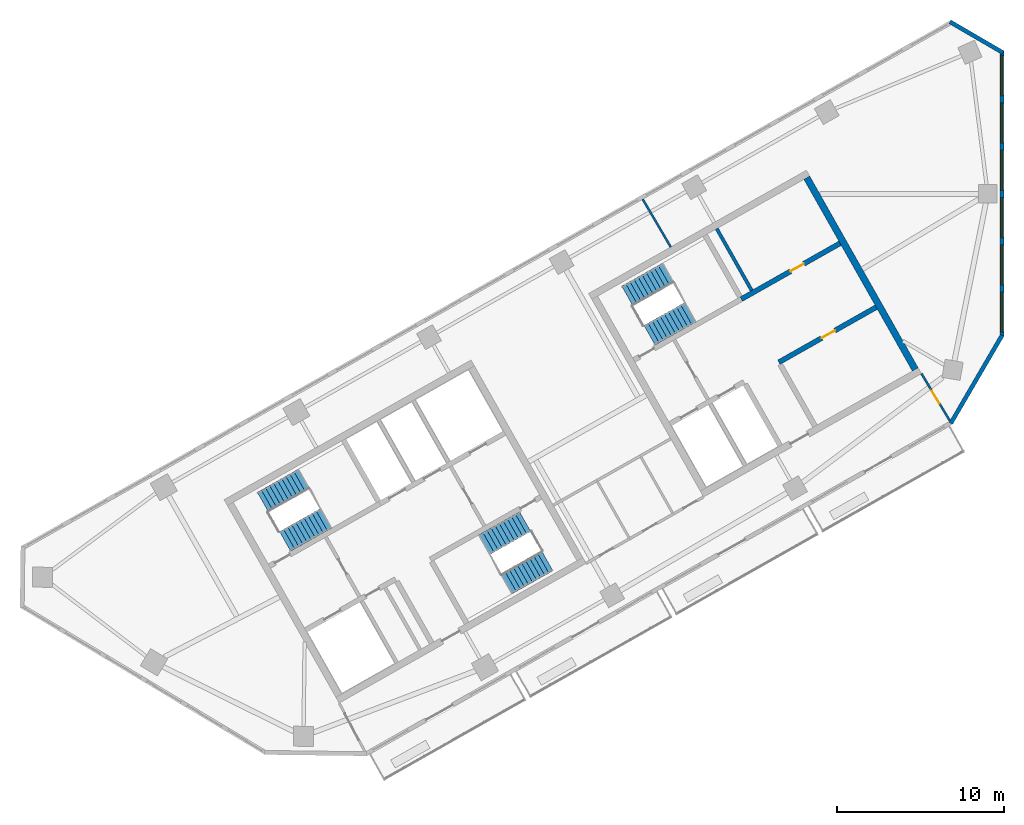
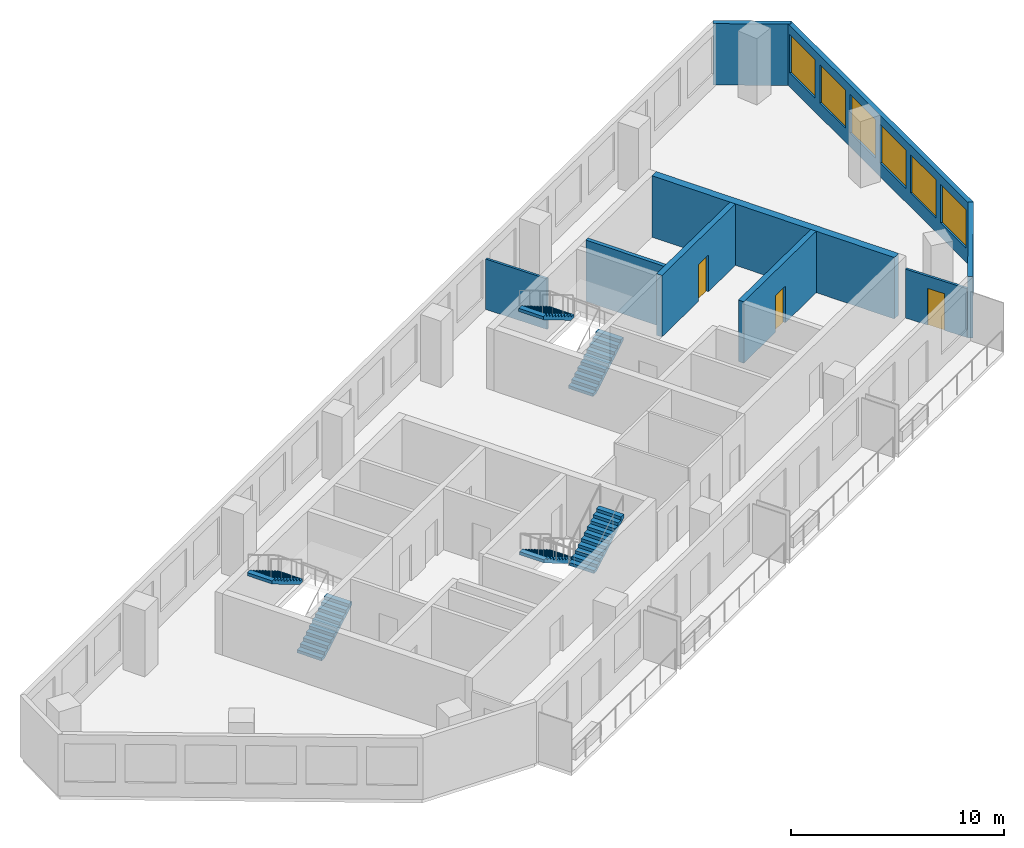
# One storey, part 5 of 7: 9 walls, 6 stair flights, 6 windows, 3 doors, 9 openings, 3 elements without a shape of their own.
"""IFC4 building model written with IfcOpenShell, lengths in metres."""

from ifc_helpers import new_model, si_unit, direction, frame, frame_2d, origin, place, context, subcontext, project, spatial, polyline, rectangle, outline, extrude, material, layer, layer_set, type_object, element, fill, aggregate, save


model = new_model("IFC4")

# Units and contexts
model_context = context("Model", 3, precision=1e-05, world=origin(), true_north=direction((0.0, 1.0)))
body_context = subcontext(model_context, "Body", "Model", "MODEL_VIEW")
ifc_project = project(units=[si_unit("LENGTHUNIT", "METRE"), si_unit("AREAUNIT", "SQUARE_METRE"), si_unit("VOLUMEUNIT", "CUBIC_METRE"), si_unit("PLANEANGLEUNIT", "RADIAN"), si_unit("MASSUNIT", "GRAM", prefix="KILO")], contexts=[model_context])

# Site, building, storey
site_placement = place(None, origin())
site = spatial("IfcSite", under=ifc_project, at=site_placement, CompositionType="ELEMENT")
building_placement = place(site_placement, origin())
building = spatial("IfcBuilding", under=site, at=building_placement, Name="Binnacle Exchange Tower", CompositionType="ELEMENT")
storey_placement = place(building_placement, frame((0.0, 0.0, 304.5)))
storey = spatial("IfcBuildingStorey", under=building, at=storey_placement, Name="L68", CompositionType="ELEMENT", Elevation=304.5)

# Wall, opening, door
ifc_material_1 = material(Name="Concrete C70/85", Category="concrete")
ifc_layer_1 = layer(ifc_material_1, 0.300048828125)
ifc_layer_set_1 = layer_set([ifc_layer_1], Name="Core wall - front 300")
wall_type_1 = type_object("IfcWallType", Name="Core wall - front 300", PredefinedType="SOLIDWALL", material=ifc_layer_set_1)
wall_1_placement = place(storey_placement, frame((-13.364501953125, 49.910888671875, 0.0), z_axis=(0.0, 0.0, 1.0), x_axis=(0.870347618718, 0.492437836272, 0.0)))
wall_1 = element("IfcWall", 1, at=wall_1_placement, inside=storey, type_object=wall_type_1, Name="Core wall CRWC3", PredefinedType="SOLIDWALL", context=body_context, shape_type="SweptSolid", body=[
    extrude(rectangle(XDim=6.699951171875, YDim=0.300048828125, at=frame_2d((3.35009765625, 0.0))), origin(), (0.0, 0.0, 1.0), 3.52001953125),
])
opening_1_placement = place(wall_1_placement, frame((2.949951171875, 0.0, 0.0)))
opening_1 = element("IfcOpeningElement", 2, at=opening_1_placement, cuts=wall_1, Name="Opening DC18", PredefinedType="OPENING", context=body_context, shape_type="SweptSolid", body=[
    extrude(rectangle(XDim=0.89990234375, YDim=2.10009765625, at=frame_2d((0.449951171875, 1.050048828125))), frame((0.0, 0.159912109375, 0.0), z_axis=(0.0, -1.0, 0.0), x_axis=(1.0, 0.0, 0.0)), (0.0, 0.0, 1.0), 0.320068359375),
])
ifc_material_2 = material(Name="Steel door leaf", Category="steel")
door_type_1 = type_object("IfcDoorType", Name="Fire door 900", OperationType="NOTDEFINED", PredefinedType="DOOR", material=ifc_material_2)
door_1_placement = place(opening_1_placement, frame((0.89990234375, 0.0, 0.0), z_axis=(0.0, 0.0, 1.0), x_axis=(-1.0, 0.0, 0.0)))
door_1 = element("IfcDoor", 3, at=door_1_placement, inside=storey, type_object=door_type_1, Name="Core room door SPARES STORE", OperationType="SINGLE_SWING_LEFT", OverallHeight=2.10009765625, OverallWidth=0.89990234375, PredefinedType="DOOR", context=body_context, shape_type="SweptSolid", body=[
    extrude(rectangle(XDim=0.89990234375, YDim=2.10009765625, at=frame_2d((0.449951171875, 1.050048828125))), frame((0.0, 0.02490234375, 0.0), z_axis=(0.0, -1.0, 0.0), x_axis=(1.0, 0.0, 0.0)), (0.0, 0.0, 1.0), 0.050048828125),
])
fill(opening_1, door_1)

wall_2_placement = place(storey_placement, frame((-15.6181640625, 53.69140625, 0.0), z_axis=(0.0, 0.0, 1.0), x_axis=(0.870362830851, 0.492410948978, 0.0)))
wall_2 = element("IfcWall", 4, at=wall_2_placement, inside=storey, type_object=wall_type_1, Name="Core wall CRWC5", PredefinedType="SOLIDWALL", context=body_context, shape_type="SweptSolid", body=[
    extrude(rectangle(XDim=6.800048828125, YDim=0.300048828125, at=frame_2d((3.39990234375, 0.0))), origin(), (0.0, 0.0, 1.0), 3.52001953125),
])
opening_2_placement = place(wall_2_placement, frame((3.400146484375, 0.0, 0.0)))
opening_2 = element("IfcOpeningElement", 5, at=opening_2_placement, cuts=wall_2, Name="Opening DC10", PredefinedType="OPENING", context=body_context, shape_type="SweptSolid", body=[
    extrude(rectangle(XDim=0.89990234375, YDim=2.10009765625, at=frame_2d((0.449951171875, 1.050048828125))), frame((0.0, 0.159912109375, 0.0), z_axis=(0.0, -1.0, 0.0), x_axis=(1.0, 0.0, 0.0)), (0.0, 0.0, 1.0), 0.320068359375),
])
door_2_placement = place(opening_2_placement, origin())
door_2 = element("IfcDoor", 6, at=door_2_placement, inside=storey, type_object=door_type_1, Name="Core room door WORKSHOP STORE", OperationType="SINGLE_SWING_RIGHT", OverallHeight=2.10009765625, OverallWidth=0.89990234375, PredefinedType="DOOR", context=body_context, shape_type="SweptSolid", body=[
    extrude(rectangle(XDim=0.89990234375, YDim=2.10009765625, at=frame_2d((0.449951171875, 1.050048828125))), frame((0.0, 0.02490234375, 0.0), z_axis=(0.0, -1.0, 0.0), x_axis=(1.0, 0.0, 0.0)), (0.0, 0.0, 1.0), 0.050048828125),
])
fill(opening_2, door_2)

# Walls
ifc_layer_2 = layer(ifc_material_1, 0.39990234375)
ifc_layer_set_2 = layer_set([ifc_layer_2], Name="Core wall - outer 400")
wall_type_2 = type_object("IfcWallType", Name="Core wall - outer 400", PredefinedType="SOLIDWALL", material=ifc_layer_set_2)
wall_3_placement = place(storey_placement, frame((-11.6923828125, 60.968017578125, 0.0), z_axis=(0.0, 0.0, 1.0), x_axis=(0.492421663121, -0.870356769198, 0.0)))
element("IfcWall", 7, at=wall_3_placement, inside=storey, type_object=wall_type_2, Name="Core wall CRWC24", PredefinedType="SOLIDWALL", context=body_context, shape_type="SweptSolid", body=[
    extrude(rectangle(XDim=13.199951171875, YDim=0.39990234375, at=frame_2d((6.60009765625, 0.0))), origin(), (0.0, 0.0, 1.0), 3.52001953125),
])
ifc_material_3 = material(Name="Bronze aluminium cladding", Category="aluminium")
ifc_layer_3 = layer(ifc_material_3, 0.25)
ifc_layer_set_3 = layer_set([ifc_layer_3], Name="External wall - window wall 250")
wall_type_3 = type_object("IfcWallType", Name="External wall - window wall 250", PredefinedType="STANDARD", material=ifc_layer_set_3)
wall_4_placement = place(storey_placement, frame((0.01708984375, 51.529296875, 0.0), z_axis=(0.0, 0.0, 1.0), x_axis=(-0.503769237131, -0.863838269424, 0.0)))
element("IfcWall", 8, at=wall_4_placement, inside=storey, type_object=wall_type_3, Name="External wall EW-H00 L68", PredefinedType="STANDARD", context=body_context, shape_type="SweptSolid", body=[
    extrude(rectangle(XDim=6.114501953125, YDim=0.25, at=frame_2d((3.05712890625, 0.0))), origin(), (0.0, 0.0, 1.0), 3.52001953125),
])

# Wall, openings, windows
wall_5_placement = place(storey_placement, frame((0.0, 68.57177734375, 0.0), z_axis=(0.0, 0.0, 1.0), x_axis=(0.0, -1.0, 0.0)))
wall_5 = element("IfcWall", 9, at=wall_5_placement, inside=storey, type_object=wall_type_3, Name="External wall EW-H01 L68", PredefinedType="STANDARD", context=body_context, shape_type="SweptSolid", body=[
    extrude(rectangle(XDim=17.10546875, YDim=0.25, at=frame_2d((8.552734375, 0.0))), origin(), (0.0, 0.0, 1.0), 3.52001953125),
])
opening_3_placement = place(wall_5_placement, frame((14.455078125, 0.0, 0.800048828125)))
opening_3 = element("IfcOpeningElement", 10, at=opening_3_placement, cuts=wall_5, Name="Opening WR2", PredefinedType="OPENING", context=body_context, shape_type="SweptSolid", body=[
    extrude(rectangle(XDim=2.39990234375, YDim=2.199951171875, at=frame_2d((1.199951171875, 1.10009765625))), frame((0.0, 0.135009765625, 0.0), z_axis=(0.0, -1.0, 0.0), x_axis=(1.0, 0.0, 0.0)), (0.0, 0.0, 1.0), 0.27001953125),
])
opening_4_placement = place(wall_5_placement, frame((11.621826171875, 0.0, 0.800048828125)))
opening_4 = element("IfcOpeningElement", 11, at=opening_4_placement, cuts=wall_5, Name="Opening WR2", PredefinedType="OPENING", context=body_context, shape_type="SweptSolid", body=[
    extrude(rectangle(XDim=2.39990234375, YDim=2.199951171875, at=frame_2d((1.199951171875, 1.10009765625))), frame((0.0, 0.135009765625, 0.0), z_axis=(0.0, -1.0, 0.0), x_axis=(1.0, 0.0, 0.0)), (0.0, 0.0, 1.0), 0.27001953125),
])
opening_5_placement = place(wall_5_placement, frame((8.78857421875, 0.0, 0.800048828125)))
opening_5 = element("IfcOpeningElement", 12, at=opening_5_placement, cuts=wall_5, Name="Opening WR2", PredefinedType="OPENING", context=body_context, shape_type="SweptSolid", body=[
    extrude(rectangle(XDim=2.39990234375, YDim=2.199951171875, at=frame_2d((1.199951171875, 1.10009765625))), frame((0.0, 0.135009765625, 0.0), z_axis=(0.0, -1.0, 0.0), x_axis=(1.0, 0.0, 0.0)), (0.0, 0.0, 1.0), 0.27001953125),
])
opening_6_placement = place(wall_5_placement, frame((5.955078125, 0.0, 0.800048828125)))
opening_6 = element("IfcOpeningElement", 13, at=opening_6_placement, cuts=wall_5, Name="Opening WR2", PredefinedType="OPENING", context=body_context, shape_type="SweptSolid", body=[
    extrude(rectangle(XDim=2.39990234375, YDim=2.199951171875, at=frame_2d((1.199951171875, 1.10009765625))), frame((0.0, 0.135009765625, 0.0), z_axis=(0.0, -1.0, 0.0), x_axis=(1.0, 0.0, 0.0)), (0.0, 0.0, 1.0), 0.27001953125),
])
opening_7_placement = place(wall_5_placement, frame((3.121826171875, 0.0, 0.800048828125)))
opening_7 = element("IfcOpeningElement", 14, at=opening_7_placement, cuts=wall_5, Name="Opening WR2", PredefinedType="OPENING", context=body_context, shape_type="SweptSolid", body=[
    extrude(rectangle(XDim=2.39990234375, YDim=2.199951171875, at=frame_2d((1.199951171875, 1.10009765625))), frame((0.0, 0.135009765625, 0.0), z_axis=(0.0, -1.0, 0.0), x_axis=(1.0, 0.0, 0.0)), (0.0, 0.0, 1.0), 0.27001953125),
])
opening_8_placement = place(wall_5_placement, frame((0.28857421875, 0.0, 0.800048828125)))
opening_8 = element("IfcOpeningElement", 15, at=opening_8_placement, cuts=wall_5, Name="Opening WR2", PredefinedType="OPENING", context=body_context, shape_type="SweptSolid", body=[
    extrude(rectangle(XDim=2.39990234375, YDim=2.199951171875, at=frame_2d((1.199951171875, 1.10009765625))), frame((0.0, 0.135009765625, 0.0), z_axis=(0.0, -1.0, 0.0), x_axis=(1.0, 0.0, 0.0)), (0.0, 0.0, 1.0), 0.27001953125),
])
ifc_material_4 = material(Name="Bronze anodised aluminium frame", Category="aluminium")
window_type = type_object("IfcWindowType", Name="WR2 WINDOW 2400x2200", PartitioningType="SINGLE_PANEL", PredefinedType="WINDOW", material=ifc_material_4)
window_1_placement = place(opening_3_placement, origin())
window_1 = element("IfcWindow", 16, at=window_1_placement, inside=storey, type_object=window_type, Name="Window WR2 L68", OverallHeight=2.199951171875, OverallWidth=2.39990234375, PartitioningType="SINGLE_PANEL", PredefinedType="WINDOW", context=body_context, shape_type="SweptSolid", body=[
    extrude(rectangle(XDim=2.39990234375, YDim=2.199951171875, at=frame_2d((1.199951171875, 1.10009765625))), frame((0.0, 0.030029296875, 0.0), z_axis=(0.0, -1.0, 0.0), x_axis=(1.0, 0.0, 0.0)), (0.0, 0.0, 1.0), 0.06005859375),
])
fill(opening_3, window_1)
window_2_placement = place(opening_4_placement, origin())
window_2 = element("IfcWindow", 17, at=window_2_placement, inside=storey, type_object=window_type, Name="Window WR2 L68", OverallHeight=2.199951171875, OverallWidth=2.39990234375, PartitioningType="SINGLE_PANEL", PredefinedType="WINDOW", context=body_context, shape_type="SweptSolid", body=[
    extrude(rectangle(XDim=2.39990234375, YDim=2.199951171875, at=frame_2d((1.199951171875, 1.10009765625))), frame((0.0, 0.030029296875, 0.0), z_axis=(0.0, -1.0, 0.0), x_axis=(1.0, 0.0, 0.0)), (0.0, 0.0, 1.0), 0.06005859375),
])
fill(opening_4, window_2)
window_3_placement = place(opening_5_placement, origin())
window_3 = element("IfcWindow", 18, at=window_3_placement, inside=storey, type_object=window_type, Name="Window WR2 L68", OverallHeight=2.199951171875, OverallWidth=2.39990234375, PartitioningType="SINGLE_PANEL", PredefinedType="WINDOW", context=body_context, shape_type="SweptSolid", body=[
    extrude(rectangle(XDim=2.39990234375, YDim=2.199951171875, at=frame_2d((1.199951171875, 1.10009765625))), frame((0.0, 0.030029296875, 0.0), z_axis=(0.0, -1.0, 0.0), x_axis=(1.0, 0.0, 0.0)), (0.0, 0.0, 1.0), 0.06005859375),
])
fill(opening_5, window_3)
window_4_placement = place(opening_6_placement, origin())
window_4 = element("IfcWindow", 19, at=window_4_placement, inside=storey, type_object=window_type, Name="Window WR2 L68", OverallHeight=2.199951171875, OverallWidth=2.39990234375, PartitioningType="SINGLE_PANEL", PredefinedType="WINDOW", context=body_context, shape_type="SweptSolid", body=[
    extrude(rectangle(XDim=2.39990234375, YDim=2.199951171875, at=frame_2d((1.199951171875, 1.10009765625))), frame((0.0, 0.030029296875, 0.0), z_axis=(0.0, -1.0, 0.0), x_axis=(1.0, 0.0, 0.0)), (0.0, 0.0, 1.0), 0.06005859375),
])
fill(opening_6, window_4)
window_5_placement = place(opening_7_placement, origin())
window_5 = element("IfcWindow", 20, at=window_5_placement, inside=storey, type_object=window_type, Name="Window WR2 L68", OverallHeight=2.199951171875, OverallWidth=2.39990234375, PartitioningType="SINGLE_PANEL", PredefinedType="WINDOW", context=body_context, shape_type="SweptSolid", body=[
    extrude(rectangle(XDim=2.39990234375, YDim=2.199951171875, at=frame_2d((1.199951171875, 1.10009765625))), frame((0.0, 0.030029296875, 0.0), z_axis=(0.0, -1.0, 0.0), x_axis=(1.0, 0.0, 0.0)), (0.0, 0.0, 1.0), 0.06005859375),
])
fill(opening_7, window_5)
window_6_placement = place(opening_8_placement, origin())
window_6 = element("IfcWindow", 21, at=window_6_placement, inside=storey, type_object=window_type, Name="Window WR2 L68", OverallHeight=2.199951171875, OverallWidth=2.39990234375, PartitioningType="SINGLE_PANEL", PredefinedType="WINDOW", context=body_context, shape_type="SweptSolid", body=[
    extrude(rectangle(XDim=2.39990234375, YDim=2.199951171875, at=frame_2d((1.199951171875, 1.10009765625))), frame((0.0, 0.030029296875, 0.0), z_axis=(0.0, -1.0, 0.0), x_axis=(1.0, 0.0, 0.0)), (0.0, 0.0, 1.0), 0.06005859375),
])
fill(opening_8, window_6)

# Walls
wall_6_placement = place(storey_placement, frame((-3.108154296875, 70.312744140625, 0.0), z_axis=(0.0, 0.0, 1.0), x_axis=(0.86382474085, -0.503792434536, 0.0)))
element("IfcWall", 22, at=wall_6_placement, inside=storey, type_object=wall_type_3, Name="External wall EW-H02 L68", PredefinedType="STANDARD", context=body_context, shape_type="SweptSolid", body=[
    extrude(rectangle(XDim=3.669921875, YDim=0.25, at=frame_2d((1.8349609375, 0.0))), origin(), (0.0, 0.0, 1.0), 3.52001953125),
])
ifc_material_5 = material(Name="Gypsum partition")
ifc_layer_4 = layer(ifc_material_5, 0.125)
ifc_layer_set_4 = layer_set([ifc_layer_4], Name="Partition 125")
wall_type_4 = type_object("IfcWallType", Name="Partition 125", PredefinedType="PARTITIONING", material=ifc_layer_set_4)
wall_7_placement = place(storey_placement, frame((-21.52392578125, 59.678955078125, 0.0), z_axis=(0.0, 0.0, 1.0), x_axis=(0.505730823443, -0.862691331949, 0.0)))
element("IfcWall", 23, at=wall_7_placement, inside=storey, type_object=wall_type_4, Name="Partition W09", PredefinedType="PARTITIONING", context=body_context, shape_type="SweptSolid", body=[
    extrude(rectangle(XDim=3.31982421875, YDim=0.125, at=frame_2d((1.659912109375, 0.0))), origin(), (0.0, 0.0, 1.0), 2.887939453125),
])

# Wall, opening, door
wall_8_placement = place(storey_placement, frame((-4.821044921875, 49.22998046875, 0.0), z_axis=(0.0, 0.0, 1.0), x_axis=(0.515006587647, -0.857186219371, 0.0)))
wall_8 = element("IfcWall", 24, at=wall_8_placement, inside=storey, type_object=wall_type_4, Name="Partition W11", PredefinedType="PARTITIONING", context=body_context, shape_type="SweptSolid", body=[
    extrude(rectangle(XDim=3.302734375, YDim=0.125, at=frame_2d((1.6513671875, 0.0))), origin(), (0.0, 0.0, 1.0), 2.800048828125),
])
opening_9_placement = place(wall_8_placement, frame((1.199951171875, 0.0, 0.0)))
opening_9 = element("IfcOpeningElement", 25, at=opening_9_placement, cuts=wall_8, Name="Opening DL68-05", PredefinedType="OPENING", context=body_context, shape_type="SweptSolid", body=[
    extrude(rectangle(XDim=0.89990234375, YDim=2.10009765625, at=frame_2d((0.449951171875, 1.050048828125))), frame((0.0, 0.072509765625, 0.0), z_axis=(0.0, -1.0, 0.0), x_axis=(1.0, 0.0, 0.0)), (0.0, 0.0, 1.0), 0.14501953125),
])
ifc_material_6 = material(Name="Timber door leaf", Category="wood")
door_type_2 = type_object("IfcDoorType", Name="Door 900", OperationType="NOTDEFINED", PredefinedType="DOOR", material=ifc_material_6)
door_3_placement = place(opening_9_placement, origin())
door_3 = element("IfcDoor", 26, at=door_3_placement, inside=storey, type_object=door_type_2, Name="Door DL68-05", OperationType="SINGLE_SWING_LEFT", OverallHeight=2.10009765625, OverallWidth=0.89990234375, PredefinedType="DOOR", context=body_context, shape_type="SweptSolid", body=[
    extrude(rectangle(XDim=0.89990234375, YDim=2.10009765625, at=frame_2d((0.449951171875, 1.050048828125))), frame((0.0, 0.02490234375, 0.0), z_axis=(0.0, -1.0, 0.0), x_axis=(1.0, 0.0, 0.0)), (0.0, 0.0, 1.0), 0.050048828125),
])
fill(opening_9, door_3)

# Wall
ifc_material_7 = material(Name="Masonry block wall", Category="masonry")
ifc_layer_5 = layer(ifc_material_7, 0.199951171875)
ifc_layer_set_5 = layer_set([ifc_layer_5], Name="Riser wall 200")
wall_type_5 = type_object("IfcWallType", Name="Riser wall 200", PredefinedType="SOLIDWALL", material=ifc_layer_set_5)
wall_9_placement = place(storey_placement, frame((-17.088623046875, 57.914794921875, 0.0), z_axis=(0.0, 0.0, 1.0), x_axis=(0.492422543467, -0.870356271124, 0.0)))
element("IfcWall", 27, at=wall_9_placement, inside=storey, type_object=wall_type_5, Name="Core wall CRWC16", PredefinedType="SOLIDWALL", context=body_context, shape_type="SweptSolid", body=[
    extrude(rectangle(XDim=4.25, YDim=0.199951171875, at=frame_2d((2.125, 0.0))), origin(), (0.0, 0.0, 1.0), 3.52001953125),
])

# Stair, stair flights
ifc_material_8 = material(Name="Concrete C35/45", Category="concrete")
stair_type = type_object("IfcStairType", Name="STAIR 22 RISERS 173", PredefinedType="HALF_TURN_STAIR", material=ifc_material_8)
stair_1_placement = place(storey_placement, origin())
stair_1 = element("IfcStair", 28, at=stair_1_placement, inside=storey, type_object=stair_type, Name="L68 Escape stair A1", PredefinedType="HALF_TURN_STAIR")
stair_flight_type = type_object("IfcStairFlightType", Name="STAIR FLIGHT 173X280", PredefinedType="STRAIGHT", material=ifc_material_8)
stair_flight_1_placement = place(storey_placement, frame((-42.9541015625, 39.17333984375, 0.0), z_axis=(0.0, 0.0, 1.0), x_axis=(0.870355584213, 0.492423757581, 0.0)))
stair_flight_1 = element("IfcStairFlight", 29, at=stair_flight_1_placement, type_object=stair_flight_type, Name="STA1 flight 1", NumberOfRisers=11, NumberOfTreads=10, PredefinedType="STRAIGHT", RiserHeight=0.172727273, TreadLength=0.28, context=body_context, shape_type="SweptSolid", body=[
    extrude(outline(polyline([(0.0, 0.0), (0.0, 0.172607421875), (0.280029296875, 0.172607421875), (0.280029296875, 0.345458984375), (0.56005859375, 0.345458984375), (0.56005859375, 0.51806640625), (0.840087890625, 0.51806640625), (0.840087890625, 0.69091796875), (1.1201171875, 0.69091796875), (1.1201171875, 0.863525390625), (1.39990234375, 0.863525390625), (1.39990234375, 1.036376953125), (1.679931640625, 1.036376953125), (1.679931640625, 1.208984375), (1.9599609375, 1.208984375), (1.9599609375, 1.3818359375), (2.239990234375, 1.3818359375), (2.239990234375, 1.554443359375), (2.52001953125, 1.554443359375), (2.52001953125, 1.727294921875), (2.800048828125, 1.727294921875), (2.800048828125, 1.89990234375), (2.800048828125, 1.551025390625), (0.285400390625, 0.0), (0.0, 0.0)])), frame((0.0, 0.675048828125, 0.0), z_axis=(0.0, -1.0, 0.0), x_axis=(1.0, 0.0, 0.0)), (0.0, 0.0, 1.0), 1.35009765625),
])
stair_flight_2_placement = place(storey_placement, frame((-41.846435546875, 42.902099609375, 1.89990234375), z_axis=(0.0, 0.0, 1.0), x_axis=(-0.870355584213, -0.492423757581, 0.0)))
stair_flight_2 = element("IfcStairFlight", 30, at=stair_flight_2_placement, type_object=stair_flight_type, Name="STA1 flight 2", NumberOfRisers=11, NumberOfTreads=10, PredefinedType="STRAIGHT", RiserHeight=0.172727273, TreadLength=0.28, context=body_context, shape_type="SweptSolid", body=[
    extrude(outline(polyline([(0.0, 0.0), (0.0, 0.172607421875), (0.280029296875, 0.172607421875), (0.280029296875, 0.345458984375), (0.56005859375, 0.345458984375), (0.56005859375, 0.51806640625), (0.840087890625, 0.51806640625), (0.840087890625, 0.69091796875), (1.1201171875, 0.69091796875), (1.1201171875, 0.863525390625), (1.39990234375, 0.863525390625), (1.39990234375, 1.036376953125), (1.679931640625, 1.036376953125), (1.679931640625, 1.208984375), (1.9599609375, 1.208984375), (1.9599609375, 1.3818359375), (2.239990234375, 1.3818359375), (2.239990234375, 1.554443359375), (2.52001953125, 1.554443359375), (2.52001953125, 1.727294921875), (2.800048828125, 1.727294921875), (2.800048828125, 1.89990234375), (2.800048828125, 1.551025390625), (0.285400390625, 0.0), (0.0, 0.0)])), frame((0.0, 0.675048828125, 0.0), z_axis=(0.0, -1.0, 0.0), x_axis=(1.0, 0.0, 0.0)), (0.0, 0.0, 1.0), 1.35009765625),
])
aggregate(stair_1, [stair_flight_1, stair_flight_2])

stair_2_placement = place(storey_placement, origin())
stair_2 = element("IfcStair", 31, at=stair_2_placement, inside=storey, type_object=stair_type, Name="L68 Escape stair A2", PredefinedType="HALF_TURN_STAIR")
stair_flight_3_placement = place(storey_placement, frame((-28.5732421875, 40.3583984375, 0.0), z_axis=(0.0, 0.0, 1.0), x_axis=(-0.870355584213, -0.492423757581, 0.0)))
stair_flight_3 = element("IfcStairFlight", 32, at=stair_flight_3_placement, type_object=stair_flight_type, Name="STA2 flight 1", NumberOfRisers=11, NumberOfTreads=10, PredefinedType="STRAIGHT", RiserHeight=0.172727273, TreadLength=0.28, context=body_context, shape_type="SweptSolid", body=[
    extrude(outline(polyline([(0.0, 0.0), (0.0, 0.172607421875), (0.280029296875, 0.172607421875), (0.280029296875, 0.345458984375), (0.56005859375, 0.345458984375), (0.56005859375, 0.51806640625), (0.840087890625, 0.51806640625), (0.840087890625, 0.69091796875), (1.1201171875, 0.69091796875), (1.1201171875, 0.863525390625), (1.39990234375, 0.863525390625), (1.39990234375, 1.036376953125), (1.679931640625, 1.036376953125), (1.679931640625, 1.208984375), (1.9599609375, 1.208984375), (1.9599609375, 1.3818359375), (2.239990234375, 1.3818359375), (2.239990234375, 1.554443359375), (2.52001953125, 1.554443359375), (2.52001953125, 1.727294921875), (2.800048828125, 1.727294921875), (2.800048828125, 1.89990234375), (2.800048828125, 1.551025390625), (0.285400390625, 0.0), (0.0, 0.0)])), frame((0.0, 0.675048828125, 0.0), z_axis=(0.0, -1.0, 0.0), x_axis=(1.0, 0.0, 0.0)), (0.0, 0.0, 1.0), 1.35009765625),
])
stair_flight_4_placement = place(storey_placement, frame((-29.6806640625, 36.629638671875, 1.89990234375), z_axis=(0.0, 0.0, 1.0), x_axis=(0.870355584213, 0.492423757581, 0.0)))
stair_flight_4 = element("IfcStairFlight", 33, at=stair_flight_4_placement, type_object=stair_flight_type, Name="STA2 flight 2", NumberOfRisers=11, NumberOfTreads=10, PredefinedType="STRAIGHT", RiserHeight=0.172727273, TreadLength=0.28, context=body_context, shape_type="SweptSolid", body=[
    extrude(outline(polyline([(0.0, 0.0), (0.0, 0.172607421875), (0.280029296875, 0.172607421875), (0.280029296875, 0.345458984375), (0.56005859375, 0.345458984375), (0.56005859375, 0.51806640625), (0.840087890625, 0.51806640625), (0.840087890625, 0.69091796875), (1.1201171875, 0.69091796875), (1.1201171875, 0.863525390625), (1.39990234375, 0.863525390625), (1.39990234375, 1.036376953125), (1.679931640625, 1.036376953125), (1.679931640625, 1.208984375), (1.9599609375, 1.208984375), (1.9599609375, 1.3818359375), (2.239990234375, 1.3818359375), (2.239990234375, 1.554443359375), (2.52001953125, 1.554443359375), (2.52001953125, 1.727294921875), (2.800048828125, 1.727294921875), (2.800048828125, 1.89990234375), (2.800048828125, 1.551025390625), (0.285400390625, 0.0), (0.0, 0.0)])), frame((0.0, 0.675048828125, 0.0), z_axis=(0.0, -1.0, 0.0), x_axis=(1.0, 0.0, 0.0)), (0.0, 0.0, 1.0), 1.35009765625),
])
aggregate(stair_2, [stair_flight_3, stair_flight_4])

stair_3_placement = place(storey_placement, origin())
stair_3 = element("IfcStair", 34, at=stair_3_placement, inside=storey, type_object=stair_type, Name="L68 Escape stair C1", PredefinedType="HALF_TURN_STAIR")
stair_flight_5_placement = place(storey_placement, frame((-21.115966796875, 51.528564453125, 0.0), z_axis=(0.0, 0.0, 1.0), x_axis=(0.870355584213, 0.492423757581, 0.0)))
stair_flight_5 = element("IfcStairFlight", 35, at=stair_flight_5_placement, type_object=stair_flight_type, Name="STC1 flight 1", NumberOfRisers=11, NumberOfTreads=10, PredefinedType="STRAIGHT", RiserHeight=0.172727273, TreadLength=0.28, context=body_context, shape_type="SweptSolid", body=[
    extrude(outline(polyline([(0.0, 0.0), (0.0, 0.172607421875), (0.280029296875, 0.172607421875), (0.280029296875, 0.345458984375), (0.56005859375, 0.345458984375), (0.56005859375, 0.51806640625), (0.840087890625, 0.51806640625), (0.840087890625, 0.69091796875), (1.1201171875, 0.69091796875), (1.1201171875, 0.863525390625), (1.39990234375, 0.863525390625), (1.39990234375, 1.036376953125), (1.679931640625, 1.036376953125), (1.679931640625, 1.208984375), (1.9599609375, 1.208984375), (1.9599609375, 1.3818359375), (2.239990234375, 1.3818359375), (2.239990234375, 1.554443359375), (2.52001953125, 1.554443359375), (2.52001953125, 1.727294921875), (2.800048828125, 1.727294921875), (2.800048828125, 1.89990234375), (2.800048828125, 1.551025390625), (0.285400390625, 0.0), (0.0, 0.0)])), frame((0.0, 0.675048828125, 0.0), z_axis=(0.0, -1.0, 0.0), x_axis=(1.0, 0.0, 0.0)), (0.0, 0.0, 1.0), 1.35009765625),
])
stair_flight_6_placement = place(storey_placement, frame((-20.008544921875, 55.25732421875, 1.89990234375), z_axis=(0.0, 0.0, 1.0), x_axis=(-0.870355584213, -0.492423757581, 0.0)))
stair_flight_6 = element("IfcStairFlight", 36, at=stair_flight_6_placement, type_object=stair_flight_type, Name="STC1 flight 2", NumberOfRisers=11, NumberOfTreads=10, PredefinedType="STRAIGHT", RiserHeight=0.172727273, TreadLength=0.28, context=body_context, shape_type="SweptSolid", body=[
    extrude(outline(polyline([(0.0, 0.0), (0.0, 0.172607421875), (0.280029296875, 0.172607421875), (0.280029296875, 0.345458984375), (0.56005859375, 0.345458984375), (0.56005859375, 0.51806640625), (0.840087890625, 0.51806640625), (0.840087890625, 0.69091796875), (1.1201171875, 0.69091796875), (1.1201171875, 0.863525390625), (1.39990234375, 0.863525390625), (1.39990234375, 1.036376953125), (1.679931640625, 1.036376953125), (1.679931640625, 1.208984375), (1.9599609375, 1.208984375), (1.9599609375, 1.3818359375), (2.239990234375, 1.3818359375), (2.239990234375, 1.554443359375), (2.52001953125, 1.554443359375), (2.52001953125, 1.727294921875), (2.800048828125, 1.727294921875), (2.800048828125, 1.89990234375), (2.800048828125, 1.551025390625), (0.285400390625, 0.0), (0.0, 0.0)])), frame((0.0, 0.675048828125, 0.0), z_axis=(0.0, -1.0, 0.0), x_axis=(1.0, 0.0, 0.0)), (0.0, 0.0, 1.0), 1.35009765625),
])
aggregate(stair_3, [stair_flight_5, stair_flight_6])

save(model, "model.ifc")
